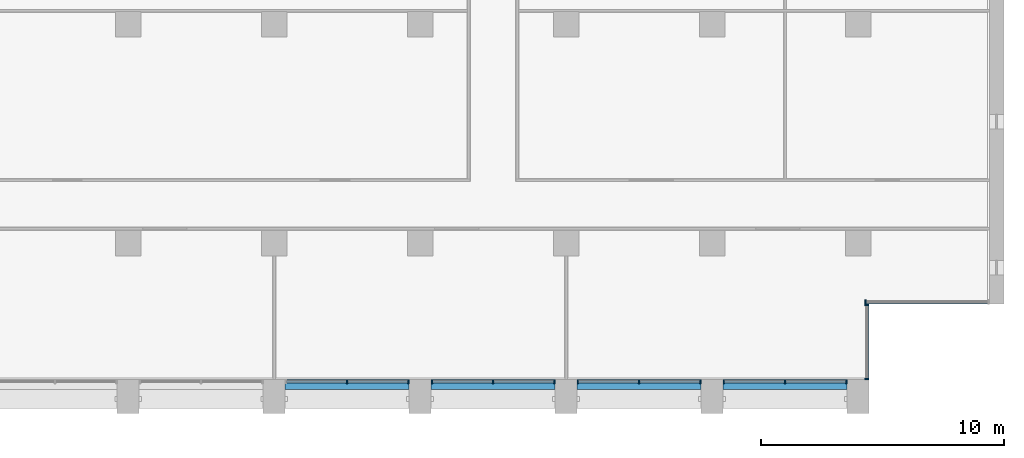
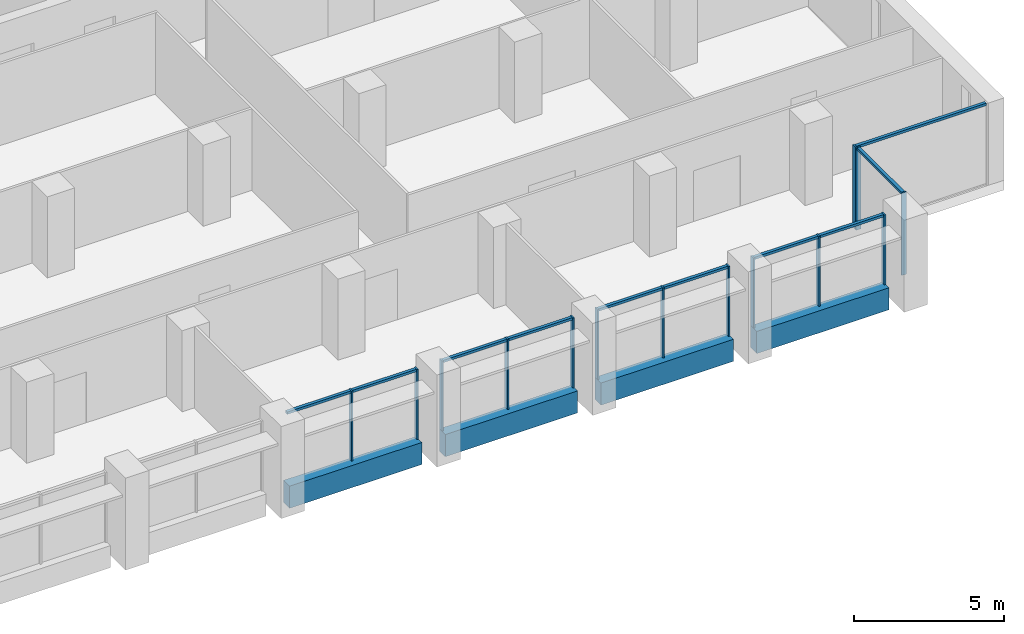
# One storey, part 3 of 17: 24 members, 4 beams, 6 elements without a shape of their own.
"""IFC4 building model written with IfcOpenShell, lengths in metres."""

from ifc_helpers import new_model, si_unit, direction, frame, origin, origin_2d, place, context, subcontext, project, spatial, rectangle, extrude, material, material_profile, profile_set, type_object, element, aggregate, save


model = new_model("IFC4")

# Units and contexts
model_context = context("Model", 3, precision=1e-05, world=origin(), true_north=direction((0.0, 1.0)))
body_context = subcontext(model_context, "Body", "Model", "MODEL_VIEW")
ifc_project = project(units=[si_unit("LENGTHUNIT", "METRE"), si_unit("AREAUNIT", "SQUARE_METRE"), si_unit("VOLUMEUNIT", "CUBIC_METRE"), si_unit("PLANEANGLEUNIT", "RADIAN"), si_unit("MASSUNIT", "GRAM", prefix="KILO")], contexts=[model_context])

# Site, building, storey
site_placement = place(None, origin())
site = spatial("IfcSite", under=ifc_project, at=site_placement, CompositionType="ELEMENT")
building_placement = place(site_placement, origin())
building = spatial("IfcBuilding", under=site, at=building_placement, Name="Calvaro Tower", CompositionType="ELEMENT")
storey_placement = place(building_placement, frame((0.0, 0.0, 208.0)))
storey = spatial("IfcBuildingStorey", under=building, at=storey_placement, Name="L52", CompositionType="ELEMENT", Elevation=208.0)

# Curtain wall, members
ifc_material_1 = material(Name="Anodised aluminium", Category="aluminium")
curtain_wall_type = type_object("IfcCurtainWallType", Name="Office curtain wall, upper zone", PredefinedType="NOTDEFINED", material=ifc_material_1)
curtain_wall_1_placement = place(storey_placement, origin())
curtain_wall_1 = element("IfcCurtainWall", 1, at=curtain_wall_1_placement, inside=storey, type_object=curtain_wall_type, Name="CW3 south curtain wall", PredefinedType="NOTDEFINED")
ifc_material_2 = material(Name="Anodised aluminium", Category="aluminium")
ifc_material_profile_1 = material_profile(ifc_material_2, rectangle(XDim=0.179931640625, YDim=0.06005859375, at=origin_2d()), Name="Mullion S3 60 x 180")
ifc_profile_set_1 = profile_set([ifc_material_profile_1], Name="Anodised aluminium")
member_type_1 = type_object("IfcMemberType", Name="Mullion S3 60 x 180", PredefinedType="MULLION", material=ifc_profile_set_1)
member_1_placement = place(storey_placement, frame((45.0, 4.31005859375, 0.0), z_axis=(0.0, 0.0, 1.0), x_axis=(0.0, 1.0, 0.0)))
member_1 = element("IfcMember", 2, at=member_1_placement, type_object=member_type_1, Name="CW3 mullion 2", PredefinedType="MULLION", context=body_context, shape_type="SweptSolid", body=[
    extrude(rectangle(XDim=0.179931640625, YDim=0.06005859375, at=origin_2d()), origin(), (0.0, 0.0, 1.0), 2.85009765625),
])
member_2_placement = place(storey_placement, frame((47.52001953125, 4.31005859375, 0.0), z_axis=(0.0, 0.0, 1.0), x_axis=(0.0, 1.0, 0.0)))
member_2 = element("IfcMember", 3, at=member_2_placement, type_object=member_type_1, Name="CW3 mullion 3", PredefinedType="MULLION", context=body_context, shape_type="SweptSolid", body=[
    extrude(rectangle(XDim=0.179931640625, YDim=0.06005859375, at=origin_2d()), origin(), (0.0, 0.0, 1.0), 2.85009765625),
])

curtain_wall_2_placement = place(storey_placement, origin())
curtain_wall_2 = element("IfcCurtainWall", 4, at=curtain_wall_2_placement, inside=storey, type_object=curtain_wall_type, Name="CW3 south curtain wall", PredefinedType="NOTDEFINED")
member_3_placement = place(storey_placement, frame((48.47998046875, 4.31005859375, 0.0), z_axis=(0.0, 0.0, 1.0), x_axis=(0.0, 1.0, 0.0)))
member_3 = element("IfcMember", 5, at=member_3_placement, type_object=member_type_1, Name="CW3 mullion 1", PredefinedType="MULLION", context=body_context, shape_type="SweptSolid", body=[
    extrude(rectangle(XDim=0.179931640625, YDim=0.06005859375, at=origin_2d()), origin(), (0.0, 0.0, 1.0), 2.85009765625),
])
member_4_placement = place(storey_placement, frame((51.0, 4.31005859375, 0.0), z_axis=(0.0, 0.0, 1.0), x_axis=(0.0, 1.0, 0.0)))
member_4 = element("IfcMember", 6, at=member_4_placement, type_object=member_type_1, Name="CW3 mullion 2", PredefinedType="MULLION", context=body_context, shape_type="SweptSolid", body=[
    extrude(rectangle(XDim=0.179931640625, YDim=0.06005859375, at=origin_2d()), origin(), (0.0, 0.0, 1.0), 2.85009765625),
])
member_5_placement = place(storey_placement, frame((53.52001953125, 4.31005859375, 0.0), z_axis=(0.0, 0.0, 1.0), x_axis=(0.0, 1.0, 0.0)))
member_5 = element("IfcMember", 7, at=member_5_placement, type_object=member_type_1, Name="CW3 mullion 3", PredefinedType="MULLION", context=body_context, shape_type="SweptSolid", body=[
    extrude(rectangle(XDim=0.179931640625, YDim=0.06005859375, at=origin_2d()), origin(), (0.0, 0.0, 1.0), 2.85009765625),
])

curtain_wall_3_placement = place(storey_placement, origin())
curtain_wall_3 = element("IfcCurtainWall", 8, at=curtain_wall_3_placement, inside=storey, type_object=curtain_wall_type, Name="CW3 south curtain wall", PredefinedType="NOTDEFINED")
member_6_placement = place(storey_placement, frame((54.47998046875, 4.31005859375, 0.0), z_axis=(0.0, 0.0, 1.0), x_axis=(0.0, 1.0, 0.0)))
member_6 = element("IfcMember", 9, at=member_6_placement, type_object=member_type_1, Name="CW3 mullion 1", PredefinedType="MULLION", context=body_context, shape_type="SweptSolid", body=[
    extrude(rectangle(XDim=0.179931640625, YDim=0.06005859375, at=origin_2d()), origin(), (0.0, 0.0, 1.0), 2.85009765625),
])
member_7_placement = place(storey_placement, frame((57.0, 4.31005859375, 0.0), z_axis=(0.0, 0.0, 1.0), x_axis=(0.0, 1.0, 0.0)))
member_7 = element("IfcMember", 10, at=member_7_placement, type_object=member_type_1, Name="CW3 mullion 2", PredefinedType="MULLION", context=body_context, shape_type="SweptSolid", body=[
    extrude(rectangle(XDim=0.179931640625, YDim=0.06005859375, at=origin_2d()), origin(), (0.0, 0.0, 1.0), 2.85009765625),
])
member_8_placement = place(storey_placement, frame((59.52001953125, 4.31005859375, 0.0), z_axis=(0.0, 0.0, 1.0), x_axis=(0.0, 1.0, 0.0)))
member_8 = element("IfcMember", 11, at=member_8_placement, type_object=member_type_1, Name="CW3 mullion 3", PredefinedType="MULLION", context=body_context, shape_type="SweptSolid", body=[
    extrude(rectangle(XDim=0.179931640625, YDim=0.06005859375, at=origin_2d()), origin(), (0.0, 0.0, 1.0), 2.85009765625),
])

curtain_wall_4_placement = place(storey_placement, origin())
curtain_wall_4 = element("IfcCurtainWall", 12, at=curtain_wall_4_placement, inside=storey, type_object=curtain_wall_type, Name="CW3 south curtain wall", PredefinedType="NOTDEFINED")
member_9_placement = place(storey_placement, frame((60.47998046875, 4.31005859375, 0.0), z_axis=(0.0, 0.0, 1.0), x_axis=(0.0, 1.0, 0.0)))
member_9 = element("IfcMember", 13, at=member_9_placement, type_object=member_type_1, Name="CW3 mullion 1", PredefinedType="MULLION", context=body_context, shape_type="SweptSolid", body=[
    extrude(rectangle(XDim=0.179931640625, YDim=0.06005859375, at=origin_2d()), origin(), (0.0, 0.0, 1.0), 2.85009765625),
])
member_10_placement = place(storey_placement, frame((63.0, 4.31005859375, 0.0), z_axis=(0.0, 0.0, 1.0), x_axis=(0.0, 1.0, 0.0)))
member_10 = element("IfcMember", 14, at=member_10_placement, type_object=member_type_1, Name="CW3 mullion 2", PredefinedType="MULLION", context=body_context, shape_type="SweptSolid", body=[
    extrude(rectangle(XDim=0.179931640625, YDim=0.06005859375, at=origin_2d()), origin(), (0.0, 0.0, 1.0), 2.85009765625),
])
member_11_placement = place(storey_placement, frame((65.52001953125, 4.31005859375, 0.0), z_axis=(0.0, 0.0, 1.0), x_axis=(0.0, 1.0, 0.0)))
member_11 = element("IfcMember", 15, at=member_11_placement, type_object=member_type_1, Name="CW3 mullion 3", PredefinedType="MULLION", context=body_context, shape_type="SweptSolid", body=[
    extrude(rectangle(XDim=0.179931640625, YDim=0.06005859375, at=origin_2d()), origin(), (0.0, 0.0, 1.0), 2.85009765625),
])

curtain_wall_5_placement = place(storey_placement, origin())
curtain_wall_5 = element("IfcCurtainWall", 16, at=curtain_wall_5_placement, inside=storey, type_object=curtain_wall_type, Name="CW3 corner curtain wall", PredefinedType="NOTDEFINED")
member_12_placement = place(storey_placement, frame((66.360107421875, 4.429931640625, 0.0), z_axis=(0.0, 0.0, 1.0), x_axis=(-1.0, 0.0, 0.0)))
member_12 = element("IfcMember", 17, at=member_12_placement, type_object=member_type_1, Name="CW3 mullion 1", PredefinedType="MULLION", context=body_context, shape_type="SweptSolid", body=[
    extrude(rectangle(XDim=0.179931640625, YDim=0.06005859375, at=origin_2d()), origin(), (0.0, 0.0, 1.0), 3.35009765625),
])
member_13_placement = place(storey_placement, frame((66.360107421875, 7.469970703125, 0.0), z_axis=(0.0, 0.0, 1.0), x_axis=(-1.0, 0.0, 0.0)))
member_13 = element("IfcMember", 18, at=member_13_placement, type_object=member_type_1, Name="CW3 mullion 2", PredefinedType="MULLION", context=body_context, shape_type="SweptSolid", body=[
    extrude(rectangle(XDim=0.179931640625, YDim=0.06005859375, at=origin_2d()), origin(), (0.0, 0.0, 1.0), 3.35009765625),
])

# Curtain wall, member
curtain_wall_6_placement = place(storey_placement, origin())
curtain_wall_6 = element("IfcCurtainWall", 19, at=curtain_wall_6_placement, inside=storey, type_object=curtain_wall_type, Name="CW3 corner curtain wall", PredefinedType="NOTDEFINED")
member_14_placement = place(storey_placement, frame((66.300048828125, 7.590087890625, 0.0), z_axis=(0.0, 0.0, 1.0), x_axis=(0.0, 1.0, 0.0)))
member_14 = element("IfcMember", 20, at=member_14_placement, type_object=member_type_1, Name="CW3 mullion 1", PredefinedType="MULLION", context=body_context, shape_type="SweptSolid", body=[
    extrude(rectangle(XDim=0.179931640625, YDim=0.06005859375, at=origin_2d()), origin(), (0.0, 0.0, 1.0), 3.35009765625),
])

# Beams
ifc_material_3 = material(Name="Concrete C50/60 precast", Category="concrete")
ifc_material_profile_2 = material_profile(ifc_material_3, rectangle(XDim=0.39990234375, YDim=0.89990234375, at=origin_2d()), Name="RC 400x900")
ifc_profile_set_2 = profile_set([ifc_material_profile_2], Name="Concrete C50/60 precast")
beam_type = type_object("IfcBeamType", Name="Spandrel beam 400x900 C50/60", PredefinedType="SPANDREL", material=ifc_profile_set_2)
for number, where, z_axis, x_axis, name in (
    (21, (42.449951171875, 4.199951171875, -0.449951171875), (1.0, 0.0, 0.0), (0.0, 1.0, 0.0), "Spandrel beam"),
    (22, (48.449951171875, 4.199951171875, -0.449951171875), (1.0, 0.0, 0.0), (0.0, 1.0, 0.0), "Spandrel beam"),
    (23, (54.449951171875, 4.199951171875, -0.449951171875), (1.0, 0.0, 0.0), (0.0, 1.0, 0.0), "Spandrel beam"),
    (24, (60.449951171875, 4.199951171875, -0.449951171875), (1.0, 0.0, 0.0), (0.0, 1.0, 0.0), "Spandrel beam"),
):
    element("IfcBeam", number, at=place(storey_placement, frame(where, z_axis=z_axis, x_axis=x_axis)), inside=storey, type_object=beam_type, Name=name, PredefinedType="SPANDREL", context=body_context, shape_type="SweptSolid", body=[
        extrude(rectangle(XDim=0.39990234375, YDim=0.89990234375, at=origin_2d()), origin(), (0.0, 0.0, 1.0), 5.10009765625),
    ])

# Member
ifc_material_4 = material(Name="Anodised aluminium", Category="aluminium")
ifc_material_profile_3 = material_profile(ifc_material_4, rectangle(XDim=0.1201171875, YDim=0.10009765625, at=origin_2d()), Name="Transom S3 100 x 120")
ifc_profile_set_3 = profile_set([ifc_material_profile_3], Name="Anodised aluminium")
member_type_2 = type_object("IfcMemberType", Name="Transom S3 100 x 120", PredefinedType="USERDEFINED", material=ifc_profile_set_3)
member_15_placement = place(storey_placement, frame((42.510009765625, 4.31005859375, 2.800048828125), z_axis=(1.0, 0.0, 0.0), x_axis=(0.0, 1.0, 0.0)))
member_15 = element("IfcMember", 25, at=member_15_placement, type_object=member_type_2, Name="CW3 transom 1.1", ObjectType="TRANSOM", PredefinedType="USERDEFINED", context=body_context, shape_type="SweptSolid", body=[
    extrude(rectangle(XDim=0.1201171875, YDim=0.10009765625, at=origin_2d()), origin(), (0.0, 0.0, 1.0), 2.4599609375),
])

member_16_placement = place(storey_placement, frame((45.030029296875, 4.31005859375, 2.800048828125), z_axis=(1.0, 0.0, 0.0), x_axis=(0.0, 1.0, 0.0)))
member_16 = element("IfcMember", 26, at=member_16_placement, type_object=member_type_2, Name="CW3 transom 2.1", ObjectType="TRANSOM", PredefinedType="USERDEFINED", context=body_context, shape_type="SweptSolid", body=[
    extrude(rectangle(XDim=0.1201171875, YDim=0.10009765625, at=origin_2d()), origin(), (0.0, 0.0, 1.0), 2.4599609375),
])

aggregate(curtain_wall_1, [member_1, member_2, member_15, member_16])

member_17_placement = place(storey_placement, frame((48.510009765625, 4.31005859375, 2.800048828125), z_axis=(1.0, 0.0, 0.0), x_axis=(0.0, 1.0, 0.0)))
member_17 = element("IfcMember", 27, at=member_17_placement, type_object=member_type_2, Name="CW3 transom 1.1", ObjectType="TRANSOM", PredefinedType="USERDEFINED", context=body_context, shape_type="SweptSolid", body=[
    extrude(rectangle(XDim=0.1201171875, YDim=0.10009765625, at=origin_2d()), origin(), (0.0, 0.0, 1.0), 2.4599609375),
])

member_18_placement = place(storey_placement, frame((51.030029296875, 4.31005859375, 2.800048828125), z_axis=(1.0, 0.0, 0.0), x_axis=(0.0, 1.0, 0.0)))
member_18 = element("IfcMember", 28, at=member_18_placement, type_object=member_type_2, Name="CW3 transom 2.1", ObjectType="TRANSOM", PredefinedType="USERDEFINED", context=body_context, shape_type="SweptSolid", body=[
    extrude(rectangle(XDim=0.1201171875, YDim=0.10009765625, at=origin_2d()), origin(), (0.0, 0.0, 1.0), 2.4599609375),
])

aggregate(curtain_wall_2, [member_3, member_4, member_5, member_17, member_18])

member_19_placement = place(storey_placement, frame((54.510009765625, 4.31005859375, 2.800048828125), z_axis=(1.0, 0.0, 0.0), x_axis=(0.0, 1.0, 0.0)))
member_19 = element("IfcMember", 29, at=member_19_placement, type_object=member_type_2, Name="CW3 transom 1.1", ObjectType="TRANSOM", PredefinedType="USERDEFINED", context=body_context, shape_type="SweptSolid", body=[
    extrude(rectangle(XDim=0.1201171875, YDim=0.10009765625, at=origin_2d()), origin(), (0.0, 0.0, 1.0), 2.4599609375),
])

member_20_placement = place(storey_placement, frame((57.030029296875, 4.31005859375, 2.800048828125), z_axis=(1.0, 0.0, 0.0), x_axis=(0.0, 1.0, 0.0)))
member_20 = element("IfcMember", 30, at=member_20_placement, type_object=member_type_2, Name="CW3 transom 2.1", ObjectType="TRANSOM", PredefinedType="USERDEFINED", context=body_context, shape_type="SweptSolid", body=[
    extrude(rectangle(XDim=0.1201171875, YDim=0.10009765625, at=origin_2d()), origin(), (0.0, 0.0, 1.0), 2.4599609375),
])

aggregate(curtain_wall_3, [member_6, member_7, member_8, member_19, member_20])

member_21_placement = place(storey_placement, frame((60.510009765625, 4.31005859375, 2.800048828125), z_axis=(1.0, 0.0, 0.0), x_axis=(0.0, 1.0, 0.0)))
member_21 = element("IfcMember", 31, at=member_21_placement, type_object=member_type_2, Name="CW3 transom 1.1", ObjectType="TRANSOM", PredefinedType="USERDEFINED", context=body_context, shape_type="SweptSolid", body=[
    extrude(rectangle(XDim=0.1201171875, YDim=0.10009765625, at=origin_2d()), origin(), (0.0, 0.0, 1.0), 2.4599609375),
])

member_22_placement = place(storey_placement, frame((63.030029296875, 4.31005859375, 2.800048828125), z_axis=(1.0, 0.0, 0.0), x_axis=(0.0, 1.0, 0.0)))
member_22 = element("IfcMember", 32, at=member_22_placement, type_object=member_type_2, Name="CW3 transom 2.1", ObjectType="TRANSOM", PredefinedType="USERDEFINED", context=body_context, shape_type="SweptSolid", body=[
    extrude(rectangle(XDim=0.1201171875, YDim=0.10009765625, at=origin_2d()), origin(), (0.0, 0.0, 1.0), 2.4599609375),
])

aggregate(curtain_wall_4, [member_9, member_10, member_11, member_21, member_22])

member_23_placement = place(storey_placement, frame((66.360107421875, 4.4599609375, 3.300048828125), z_axis=(0.0, 1.0, 0.0), x_axis=(-1.0, 0.0, 0.0)))
member_23 = element("IfcMember", 33, at=member_23_placement, type_object=member_type_2, Name="CW3 transom 1.1", ObjectType="TRANSOM", PredefinedType="USERDEFINED", context=body_context, shape_type="SweptSolid", body=[
    extrude(rectangle(XDim=0.1201171875, YDim=0.10009765625, at=origin_2d()), origin(), (0.0, 0.0, 1.0), 2.97998046875),
])

aggregate(curtain_wall_5, [member_12, member_13, member_23])

member_24_placement = place(storey_placement, frame((66.330078125, 7.590087890625, 3.300048828125), z_axis=(1.0, 0.0, 0.0), x_axis=(0.0, 1.0, 0.0)))
member_24 = element("IfcMember", 34, at=member_24_placement, type_object=member_type_2, Name="CW3 transom 1.1", ObjectType="TRANSOM", PredefinedType="USERDEFINED", context=body_context, shape_type="SweptSolid", body=[
    extrude(rectangle(XDim=0.1201171875, YDim=0.10009765625, at=origin_2d()), origin(), (0.0, 0.0, 1.0), 5.010009765625),
])

aggregate(curtain_wall_6, [member_14, member_24])

save(model, "model.ifc")
